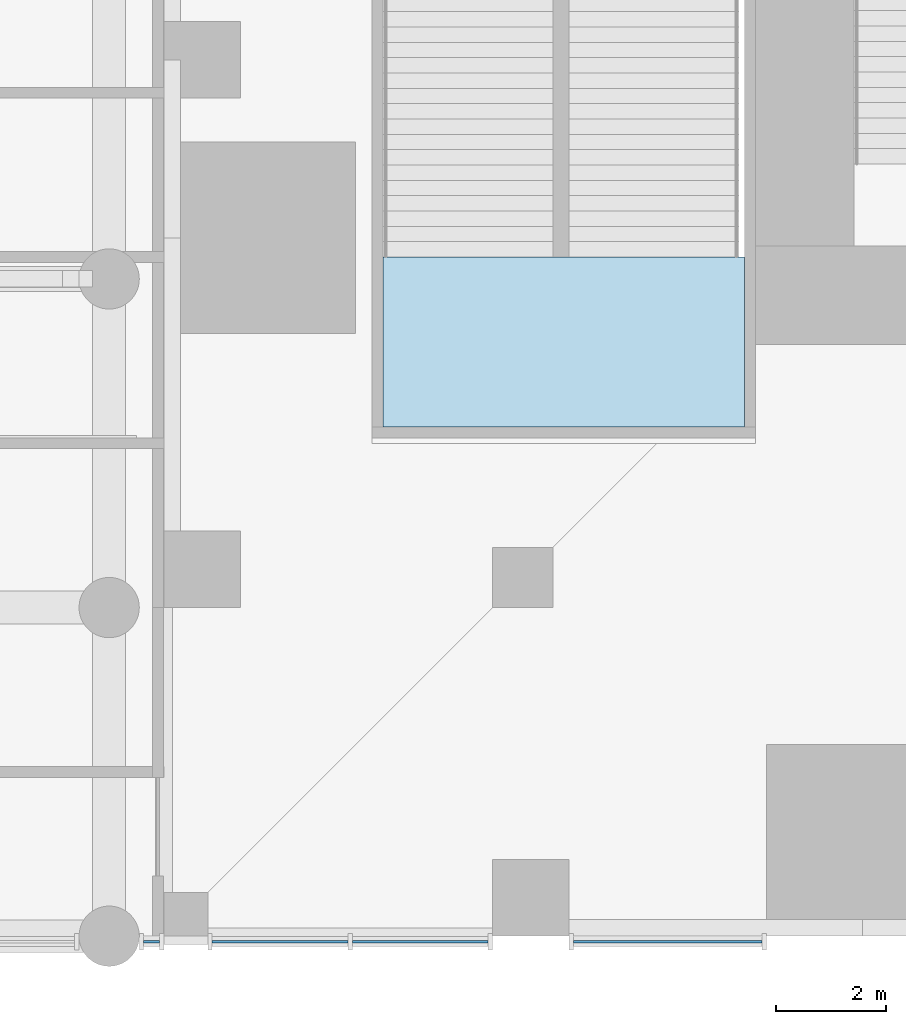
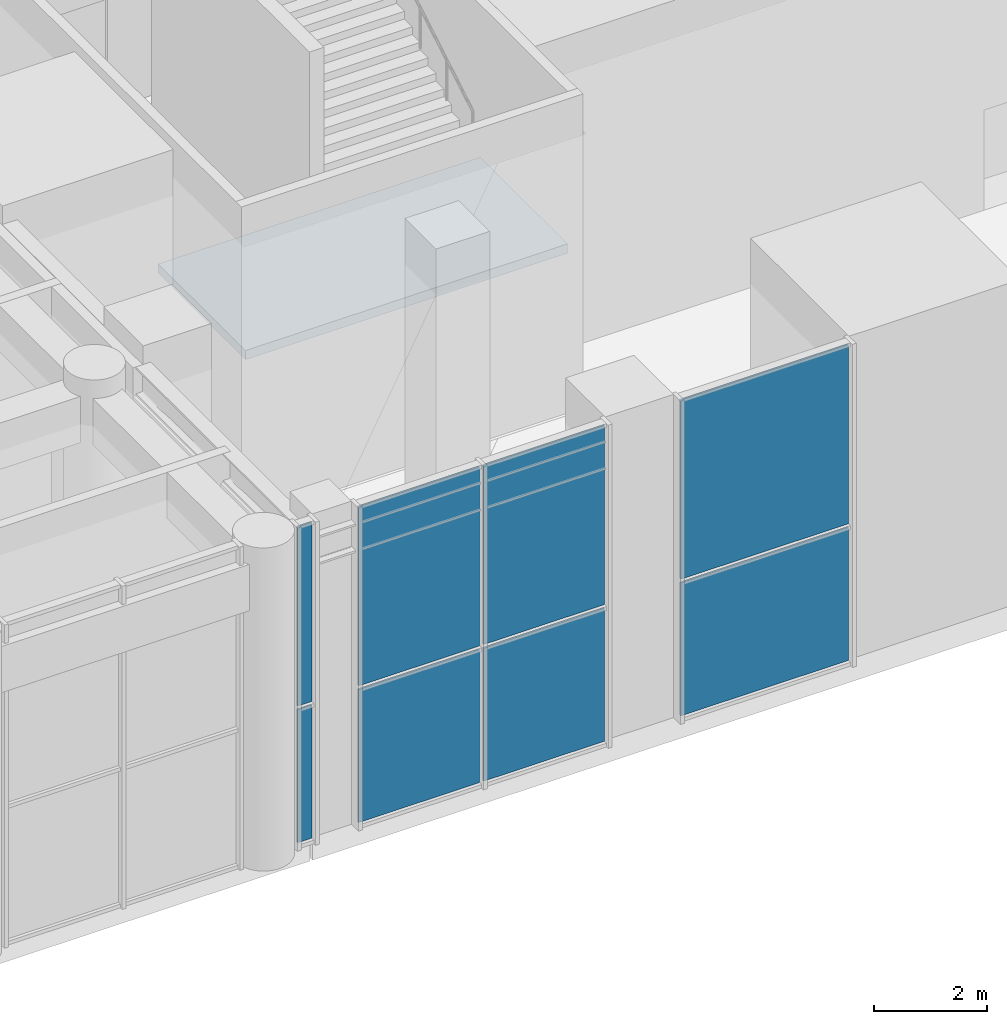
# One storey, part 15 of 30: 8 plates, 1 slab, 4 elements without a shape of their own.
"""IFC4 building model written with IfcOpenShell, lengths in metres."""

from ifc_helpers import new_model, si_unit, direction, frame, origin, origin_2d, place, context, subcontext, project, spatial, polyline, rectangle, outline, extrude, material, layer, layer_set, type_object, element, aggregate, save


model = new_model("IFC4")

# Units and contexts
model_context = context("Model", 3, precision=1e-05, world=origin(), true_north=direction((0.0, 1.0)))
body_context = subcontext(model_context, "Body", "Model", "MODEL_VIEW")
ifc_project = project(units=[si_unit("LENGTHUNIT", "METRE"), si_unit("AREAUNIT", "SQUARE_METRE"), si_unit("VOLUMEUNIT", "CUBIC_METRE"), si_unit("PLANEANGLEUNIT", "RADIAN"), si_unit("MASSUNIT", "GRAM", prefix="KILO")], contexts=[model_context])

# Site, building, storey
site_placement = place(None, origin())
site = spatial("IfcSite", under=ifc_project, at=site_placement, CompositionType="ELEMENT")
building_placement = place(site_placement, origin())
building = spatial("IfcBuilding", under=site, at=building_placement, Name="Svetlomir Tower", CompositionType="ELEMENT")
storey_placement = place(building_placement, frame((0.0, 0.0, 11.0)))
storey = spatial("IfcBuildingStorey", under=building, at=storey_placement, Name="L02", CompositionType="ELEMENT", Elevation=11.0)

# Curtain wall, plates
ifc_material_1 = material(Name="Bronze anodised aluminium curtain wall", Category="aluminium")
curtain_wall_type = type_object("IfcCurtainWallType", Name="CURTAIN WALL CW5 PODIUM", PredefinedType="NOTDEFINED", material=ifc_material_1)
curtain_wall_1_placement = place(storey_placement, origin())
curtain_wall_1 = element("IfcCurtainWall", 1, at=curtain_wall_1_placement, inside=storey, type_object=curtain_wall_type, Name="Curtain wall CW5 L02", PredefinedType="NOTDEFINED")
ifc_material_2 = material(Name="Tinted double glazed unit", Category="glass")
ifc_layer_1 = layer(ifc_material_2, 0.0400390625)
ifc_layer_set_1 = layer_set([ifc_layer_1], Name="Tinted double glazed unit")
plate_type = type_object("IfcPlateType", Name="CW5 GLAZED PANEL 40", PredefinedType="CURTAIN_PANEL", material=ifc_layer_set_1)
plate_1_placement = place(storey_placement, frame((-0.22509765625, -0.10009765625, 0.080078125), z_axis=(0.0, 0.0, 1.0), x_axis=(1.0, 0.0, 0.0)))
plate_1 = element("IfcPlate", 2, at=plate_1_placement, type_object=plate_type, Name="CW5 panel 1.1", PredefinedType="CURTAIN_PANEL", context=body_context, shape_type="SweptSolid", body=[
    extrude(rectangle(XDim=0.2900390625, YDim=0.0400390625, at=origin_2d()), origin(), (0.0, 0.0, 1.0), 2.8798828125),
])
plate_2_placement = place(storey_placement, frame((-0.22509765625, -0.10009765625, 3.0400390625), z_axis=(0.0, 0.0, 1.0), x_axis=(1.0, 0.0, 0.0)))
plate_2 = element("IfcPlate", 3, at=plate_2_placement, type_object=plate_type, Name="CW5 panel 1.2", PredefinedType="CURTAIN_PANEL", context=body_context, shape_type="SweptSolid", body=[
    extrude(rectangle(XDim=0.2900390625, YDim=0.0400390625, at=origin_2d()), origin(), (0.0, 0.0, 1.0), 3.8798828125),
])
aggregate(curtain_wall_1, [plate_1, plate_2])

curtain_wall_2_placement = place(storey_placement, origin())
curtain_wall_2 = element("IfcCurtainWall", 4, at=curtain_wall_2_placement, inside=storey, type_object=curtain_wall_type, Name="Curtain wall CW5 L02", PredefinedType="NOTDEFINED")
plate_3_placement = place(storey_placement, frame((2.1201171875, -0.10009765625, 0.080078125), z_axis=(0.0, 0.0, 1.0), x_axis=(1.0, 0.0, 0.0)))
plate_3 = element("IfcPlate", 5, at=plate_3_placement, type_object=plate_type, Name="CW5 panel 1.1", PredefinedType="CURTAIN_PANEL", context=body_context, shape_type="SweptSolid", body=[
    extrude(rectangle(XDim=2.47998046875, YDim=0.0400390625, at=origin_2d()), origin(), (0.0, 0.0, 1.0), 2.8798828125),
])
plate_4_placement = place(storey_placement, frame((2.1201171875, -0.10009765625, 3.0400390625), z_axis=(0.0, 0.0, 1.0), x_axis=(1.0, 0.0, 0.0)))
plate_4 = element("IfcPlate", 6, at=plate_4_placement, type_object=plate_type, Name="CW5 panel 1.2", PredefinedType="CURTAIN_PANEL", context=body_context, shape_type="SweptSolid", body=[
    extrude(rectangle(XDim=2.47998046875, YDim=0.0400390625, at=origin_2d()), origin(), (0.0, 0.0, 1.0), 3.8798828125),
])
plate_5_placement = place(storey_placement, frame((4.679931640625, -0.10009765625, 0.080078125), z_axis=(0.0, 0.0, 1.0), x_axis=(1.0, 0.0, 0.0)))
plate_5 = element("IfcPlate", 7, at=plate_5_placement, type_object=plate_type, Name="CW5 panel 2.1", PredefinedType="CURTAIN_PANEL", context=body_context, shape_type="SweptSolid", body=[
    extrude(rectangle(XDim=2.47998046875, YDim=0.0400390625, at=origin_2d()), origin(), (0.0, 0.0, 1.0), 2.8798828125),
])
plate_6_placement = place(storey_placement, frame((4.679931640625, -0.10009765625, 3.0400390625), z_axis=(0.0, 0.0, 1.0), x_axis=(1.0, 0.0, 0.0)))
plate_6 = element("IfcPlate", 8, at=plate_6_placement, type_object=plate_type, Name="CW5 panel 2.2", PredefinedType="CURTAIN_PANEL", context=body_context, shape_type="SweptSolid", body=[
    extrude(rectangle(XDim=2.47998046875, YDim=0.0400390625, at=origin_2d()), origin(), (0.0, 0.0, 1.0), 3.8798828125),
])
aggregate(curtain_wall_2, [plate_3, plate_4, plate_5, plate_6])

curtain_wall_3_placement = place(storey_placement, origin())
curtain_wall_3 = element("IfcCurtainWall", 9, at=curtain_wall_3_placement, inside=storey, type_object=curtain_wall_type, Name="Curtain wall CW5 L02", PredefinedType="NOTDEFINED")
plate_7_placement = place(storey_placement, frame((9.199951171875, -0.10009765625, 0.080078125), z_axis=(0.0, 0.0, 1.0), x_axis=(1.0, 0.0, 0.0)))
plate_7 = element("IfcPlate", 10, at=plate_7_placement, type_object=plate_type, Name="CW5 panel 1.1", PredefinedType="CURTAIN_PANEL", context=body_context, shape_type="SweptSolid", body=[
    extrude(rectangle(XDim=3.43994140625, YDim=0.0400390625, at=origin_2d()), origin(), (0.0, 0.0, 1.0), 2.8798828125),
])
plate_8_placement = place(storey_placement, frame((9.199951171875, -0.10009765625, 3.0400390625), z_axis=(0.0, 0.0, 1.0), x_axis=(1.0, 0.0, 0.0)))
plate_8 = element("IfcPlate", 11, at=plate_8_placement, type_object=plate_type, Name="CW5 panel 1.2", PredefinedType="CURTAIN_PANEL", context=body_context, shape_type="SweptSolid", body=[
    extrude(rectangle(XDim=3.43994140625, YDim=0.0400390625, at=origin_2d()), origin(), (0.0, 0.0, 1.0), 3.8798828125),
])
aggregate(curtain_wall_3, [plate_7, plate_8])

# Stair, slab
ifc_material_3 = material(Name="Concrete C60/75", Category="concrete")
stair_type = type_object("IfcStairType", Name="EXIT STAIR 6600 RISE 7000", PredefinedType="HALF_TURN_STAIR", material=ifc_material_3)
stair_placement = place(storey_placement, origin())
stair = element("IfcStair", 12, at=stair_placement, inside=storey, type_object=stair_type, Name="Stair P1 L02 to L03", PredefinedType="HALF_TURN_STAIR")
ifc_material_4 = material(Name="Concrete C60/75", Category="concrete")
ifc_layer_2 = layer(ifc_material_4, 0.199951171875)
ifc_layer_set_2 = layer_set([ifc_layer_2], Name="Concrete C60/75")
slab_type = type_object("IfcSlabType", Name="STAIR LANDING 200", PredefinedType="LANDING", material=ifc_layer_set_2)
slab_placement = place(storey_placement, frame((0.0, 0.0, 3.300048828125)))
slab = element("IfcSlab", 13, at=slab_placement, type_object=slab_type, Name="P1 landing 1", PredefinedType="LANDING", context=body_context, shape_type="SweptSolid", body=[
    extrude(outline(polyline([(4.0, 9.300048828125), (10.60009765625, 9.300048828125), (10.60009765625, 12.39990234375), (4.0, 12.39990234375), (4.0, 9.300048828125)])), origin(), (0.0, 0.0, 1.0), 0.199951171875),
])
aggregate(stair, [slab])

save(model, "model.ifc")
